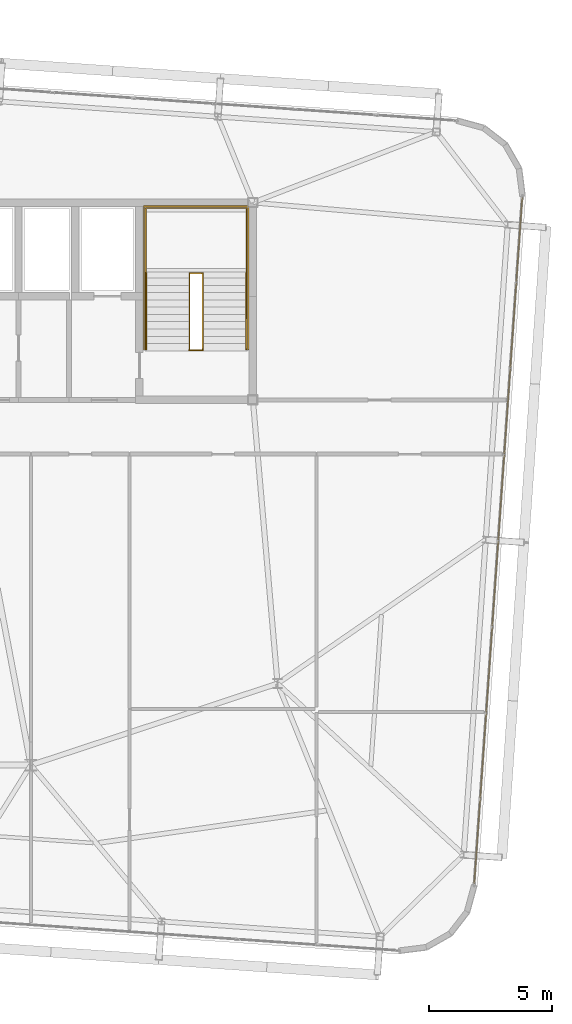
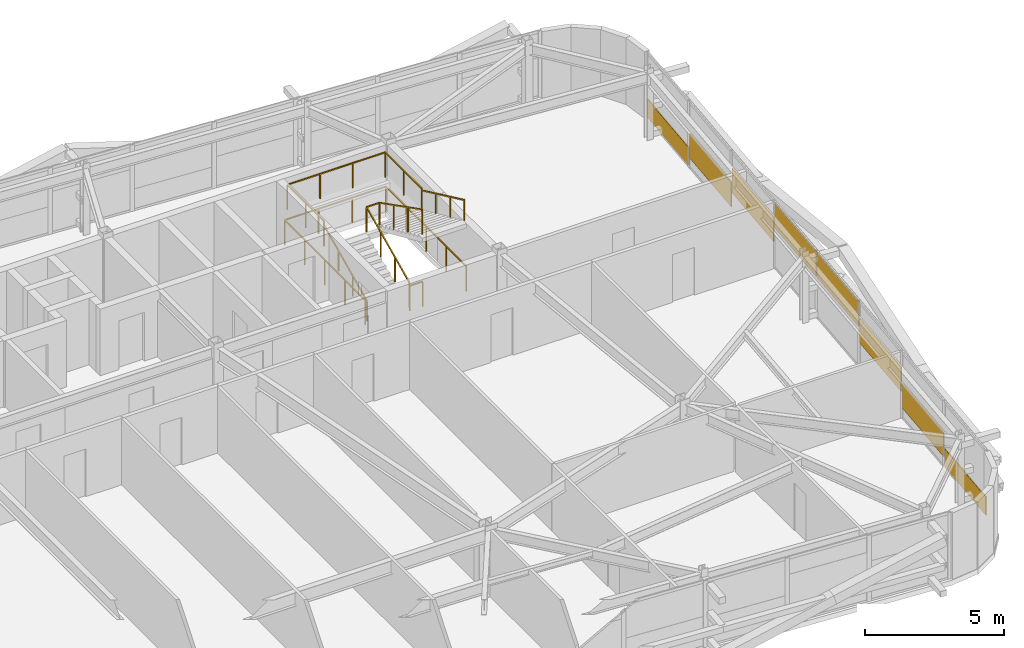
# One storey, part 46 of 47: 8 coverings, 6 railings.
"""IFC4 building model written with IfcOpenShell, lengths in metres."""

from ifc_helpers import new_model, si_unit, direction, frame, origin, origin_2d, place, context, subcontext, project, spatial, rectangle, extrude, source, transform, mapped, material, layer, layer_set, type_object, element, save


model = new_model("IFC4")

# Units and contexts
model_context = context("Model", 3, precision=1e-05, world=origin(), true_north=direction((0.0, 1.0)))
body_context = subcontext(model_context, "Body", "Model", "MODEL_VIEW")
ifc_project = project(units=[si_unit("LENGTHUNIT", "METRE"), si_unit("AREAUNIT", "SQUARE_METRE"), si_unit("VOLUMEUNIT", "CUBIC_METRE"), si_unit("PLANEANGLEUNIT", "RADIAN"), si_unit("MASSUNIT", "GRAM", prefix="KILO")], contexts=[model_context])

# Site, building, storey
site_placement = place(None, origin())
site = spatial("IfcSite", under=ifc_project, at=site_placement, CompositionType="ELEMENT")
building_placement = place(site_placement, origin())
building = spatial("IfcBuilding", under=site, at=building_placement, Name="Taldren Reach Tower", CompositionType="ELEMENT")
storey_placement = place(building_placement, frame((0.0, 0.0, 139.300048828125)))
storey = spatial("IfcBuildingStorey", under=building, at=storey_placement, Name="L42", CompositionType="ELEMENT", Elevation=139.300048828125)

# Railings
ifc_material_1 = material(Name="Steel Gr 350 (C350L0)", Category="steel")
ifc_layer_1 = layer(ifc_material_1, 0.050048828125)
ifc_layer_set_1 = layer_set([ifc_layer_1], Name="Steel Gr 350 (C350L0)")
railing_type_1 = type_object("IfcRailingType", Name="RL-STAIR-GR", PredefinedType="GUARDRAIL", material=ifc_layer_set_1)
railing_1_placement = place(storey_placement, frame((46.659912109375, 29.135009765625, 1.574951171875)))
element("IfcRailing", 1, at=railing_1_placement, inside=storey, type_object=railing_type_1, Name="Stair half-landing perimeter guard ST2-L42", PredefinedType="GUARDRAIL", context=body_context, shape_type="SweptSolid", body=[
    extrude(rectangle(XDim=0.047852, YDim=0.047852, at=origin_2d()), frame((0.0, 0.0, 1.09619140625), z_axis=(0.0, 1.0, 0.0), x_axis=(-1.0, 0.0, 0.0)), (0.0, 0.0, 1.0), 2.64501953125),
    extrude(rectangle(XDim=0.047852, YDim=0.047852, at=origin_2d()), frame((0.0, 2.64501953125, 1.09619140625), z_axis=(1.0, 0.0, 0.0), x_axis=(0.0, 1.0, 0.0)), (0.0, 0.0, 1.0), 4.080078125),
    extrude(rectangle(XDim=0.047852, YDim=0.047852, at=origin_2d()), frame((4.080078125, 2.64501953125, 1.09619140625), z_axis=(0.0, -1.0, 0.0), x_axis=(1.0, 0.0, 0.0)), (0.0, 0.0, 1.0), 2.64501953125),
    extrude(rectangle(XDim=0.041992, YDim=0.041992, at=origin_2d()), origin(), (0.0, 0.0, 1.0), 1.072021484375),
    extrude(rectangle(XDim=0.041992, YDim=0.041992, at=origin_2d()), frame((0.0, 1.322509765625, 0.0)), (0.0, 0.0, 1.0), 1.072021484375),
    extrude(rectangle(XDim=0.041992, YDim=0.041992, at=origin_2d()), frame((0.0, 2.64501953125, 0.0)), (0.0, 0.0, 1.0), 1.072021484375),
    extrude(rectangle(XDim=0.041992, YDim=0.041992, at=origin_2d()), frame((1.360107421875, 2.64501953125, 0.0)), (0.0, 0.0, 1.0), 1.072021484375),
    extrude(rectangle(XDim=0.041992, YDim=0.041992, at=origin_2d()), frame((2.719970703125, 2.64501953125, 0.0)), (0.0, 0.0, 1.0), 1.072021484375),
    extrude(rectangle(XDim=0.041992, YDim=0.041992, at=origin_2d()), frame((4.080078125, 2.64501953125, 0.0)), (0.0, 0.0, 1.0), 1.072021484375),
    extrude(rectangle(XDim=0.041992, YDim=0.041992, at=origin_2d()), frame((4.080078125, 1.322509765625, 0.0)), (0.0, 0.0, 1.0), 1.072021484375),
    extrude(rectangle(XDim=0.041992, YDim=0.041992, at=origin_2d()), frame((4.080078125, 0.0, 0.0)), (0.0, 0.0, 1.0), 1.072021484375),
])
railing_2_placement = place(storey_placement, frame((48.429931640625, 26.050048828125, 0.13134765625)))
element("IfcRailing", 2, at=railing_2_placement, inside=storey, type_object=railing_type_1, Name="Stairwell inner guard ST2-L42", PredefinedType="GUARDRAIL", context=body_context, shape_type="SweptSolid", body=[
    extrude(rectangle(XDim=0.047852, YDim=0.047852, at=origin_2d()), frame((0.0, 0.0, 1.09619140625), z_axis=(0.0, 0.905737652094, 0.423838773095), x_axis=(-1.0, 0.0, 0.0)), (0.0, 0.0, 1.0), 3.406005859375),
    extrude(rectangle(XDim=0.047852, YDim=0.047852, at=origin_2d()), frame((0.0, 3.0849609375, 2.53955078125), z_axis=(1.0, 0.0, 0.0), x_axis=(0.0, 1.0, 0.0)), (0.0, 0.0, 1.0), 0.5400390625),
    extrude(rectangle(XDim=0.047852, YDim=0.047852, at=origin_2d()), frame((0.5400390625, 3.0849609375, 2.53955078125), z_axis=(0.0, -0.890645957773, 0.45469745755), x_axis=(1.0, 0.0, 0.0)), (0.0, 0.0, 1.0), 3.463623046875),
    extrude(rectangle(XDim=0.041992, YDim=0.041992, at=origin_2d()), origin(), (0.0, 0.0, 1.0), 1.072021484375),
    extrude(rectangle(XDim=0.041992, YDim=0.041992, at=origin_2d()), frame((0.0, 1.0283203125, 0.481201171875)), (0.0, 0.0, 1.0), 1.072021484375),
    extrude(rectangle(XDim=0.041992, YDim=0.041992, at=origin_2d()), frame((0.0, 2.056640625, 0.96240234375)), (0.0, 0.0, 1.0), 1.072021484375),
    extrude(rectangle(XDim=0.041992, YDim=0.041992, at=origin_2d()), frame((0.0, 3.0849609375, 1.443603515625)), (0.0, 0.0, 1.0), 1.072021484375),
    extrude(rectangle(XDim=0.041992, YDim=0.041992, at=origin_2d()), frame((0.5400390625, 3.0849609375, 1.443603515625)), (0.0, 0.0, 1.0), 1.072021484375),
    extrude(rectangle(XDim=0.041992, YDim=0.041992, at=origin_2d()), frame((0.5400390625, 2.056640625, 1.968505859375)), (0.0, 0.0, 1.0), 1.072021484375),
    extrude(rectangle(XDim=0.041992, YDim=0.041992, at=origin_2d()), frame((0.5400390625, 1.0283203125, 2.49365234375)), (0.0, 0.0, 1.0), 1.072021484375),
    extrude(rectangle(XDim=0.041992, YDim=0.041992, at=origin_2d()), frame((0.5400390625, 0.0, 3.0185546875)), (0.0, 0.0, 1.0), 1.072021484375),
])
railing_3_placement = place(storey_placement, frame((48.429931640625, 26.010009765625, 0.0)))
element("IfcRailing", 3, at=railing_3_placement, inside=storey, type_object=railing_type_1, Name="Stairwell landing slot guard ST2-L42", PredefinedType="GUARDRAIL", context=body_context, shape_type="SweptSolid", body=[
    extrude(rectangle(XDim=0.047852, YDim=0.047852, at=origin_2d()), frame((0.0, 0.0, 1.09619140625), z_axis=(1.0, 0.0, 0.0), x_axis=(0.0, 1.0, 0.0)), (0.0, 0.0, 1.0), 0.5400390625),
    extrude(rectangle(XDim=0.041992, YDim=0.041992, at=origin_2d()), origin(), (0.0, 0.0, 1.0), 1.072021484375),
    extrude(rectangle(XDim=0.041992, YDim=0.041992, at=origin_2d()), frame((0.5400390625, 0.0, 0.0)), (0.0, 0.0, 1.0), 1.072021484375),
])
railing_4_placement = place(storey_placement, frame((46.590087890625, 26.050048828125, 0.0)))
element("IfcRailing", 4, at=railing_4_placement, inside=storey, type_object=railing_type_1, Name="Stairwell floor opening guard ST2-L42", PredefinedType="GUARDRAIL", context=body_context, shape_type="SweptSolid", body=[
    extrude(rectangle(XDim=0.047852, YDim=0.047852, at=origin_2d()), frame((0.0, 0.0, 1.09619140625), z_axis=(0.0, 1.0, 0.0), x_axis=(-1.0, 0.0, 0.0)), (0.0, 0.0, 1.0), 5.800048828125),
    extrude(rectangle(XDim=0.047852, YDim=0.047852, at=origin_2d()), frame((0.0, 5.800048828125, 1.09619140625), z_axis=(1.0, 0.0, 0.0), x_axis=(0.0, 1.0, 0.0)), (0.0, 0.0, 1.0), 4.219970703125),
    extrude(rectangle(XDim=0.047852, YDim=0.047852, at=origin_2d()), frame((4.219970703125, 5.800048828125, 1.09619140625), z_axis=(0.0, -1.0, 0.0), x_axis=(1.0, 0.0, 0.0)), (0.0, 0.0, 1.0), 5.800048828125),
    extrude(rectangle(XDim=0.041992, YDim=0.041992, at=origin_2d()), origin(), (0.0, 0.0, 1.0), 1.072021484375),
    extrude(rectangle(XDim=0.041992, YDim=0.041992, at=origin_2d()), frame((0.0, 1.449951171875, 0.0)), (0.0, 0.0, 1.0), 1.072021484375),
    extrude(rectangle(XDim=0.041992, YDim=0.041992, at=origin_2d()), frame((0.0, 2.89990234375, 0.0)), (0.0, 0.0, 1.0), 1.072021484375),
    extrude(rectangle(XDim=0.041992, YDim=0.041992, at=origin_2d()), frame((0.0, 4.35009765625, 0.0)), (0.0, 0.0, 1.0), 1.072021484375),
    extrude(rectangle(XDim=0.041992, YDim=0.041992, at=origin_2d()), frame((0.0, 5.800048828125, 0.0)), (0.0, 0.0, 1.0), 1.072021484375),
    extrude(rectangle(XDim=0.041992, YDim=0.041992, at=origin_2d()), frame((1.40673828125, 5.800048828125, 0.0)), (0.0, 0.0, 1.0), 1.072021484375),
    extrude(rectangle(XDim=0.041992, YDim=0.041992, at=origin_2d()), frame((2.813232421875, 5.800048828125, 0.0)), (0.0, 0.0, 1.0), 1.072021484375),
    extrude(rectangle(XDim=0.041992, YDim=0.041992, at=origin_2d()), frame((4.219970703125, 5.800048828125, 0.0)), (0.0, 0.0, 1.0), 1.072021484375),
    extrude(rectangle(XDim=0.041992, YDim=0.041992, at=origin_2d()), frame((4.219970703125, 4.35009765625, 0.0)), (0.0, 0.0, 1.0), 1.072021484375),
    extrude(rectangle(XDim=0.041992, YDim=0.041992, at=origin_2d()), frame((4.219970703125, 2.89990234375, 0.0)), (0.0, 0.0, 1.0), 1.072021484375),
    extrude(rectangle(XDim=0.041992, YDim=0.041992, at=origin_2d()), frame((4.219970703125, 1.449951171875, 0.0)), (0.0, 0.0, 1.0), 1.072021484375),
    extrude(rectangle(XDim=0.041992, YDim=0.041992, at=origin_2d()), frame((4.219970703125, 0.0, 0.0)), (0.0, 0.0, 1.0), 1.072021484375),
])
ifc_material_2 = material(Name="Stainless Steel Gr 316", Category="steel")
ifc_layer_2 = layer(ifc_material_2, 0.048095703125)
ifc_layer_set_2 = layer_set([ifc_layer_2], Name="Stainless Steel Gr 316")
railing_type_2 = type_object("IfcRailingType", Name="RL-STAIR-HR", PredefinedType="HANDRAIL", material=ifc_layer_set_2)
railing_5_placement = place(storey_placement, frame((46.669921875, 26.050048828125, 0.13134765625)))
element("IfcRailing", 5, at=railing_5_placement, inside=storey, type_object=railing_type_2, Name="Stair flight handrail ST2-L42-1", PredefinedType="HANDRAIL", context=body_context, shape_type="SweptSolid", body=[
    extrude(rectangle(XDim=0.047852, YDim=0.047852, at=origin_2d()), frame((0.0, 0.0, 0.89599609375), z_axis=(0.0, 0.905737652094, 0.423838773095), x_axis=(-1.0, 0.0, 0.0)), (0.0, 0.0, 1.0), 3.406005859375),
    extrude(rectangle(XDim=0.041992, YDim=0.041992, at=origin_2d()), origin(), (0.0, 0.0, 1.0), 0.871826171875),
    extrude(rectangle(XDim=0.041992, YDim=0.041992, at=origin_2d()), frame((0.0, 1.0283203125, 0.481201171875)), (0.0, 0.0, 1.0), 0.871826171875),
    extrude(rectangle(XDim=0.041992, YDim=0.041992, at=origin_2d()), frame((0.0, 2.056640625, 0.96240234375)), (0.0, 0.0, 1.0), 0.871826171875),
    extrude(rectangle(XDim=0.041992, YDim=0.041992, at=origin_2d()), frame((0.0, 3.0849609375, 1.443603515625)), (0.0, 0.0, 1.0), 0.871826171875),
])
railing_6_placement = place(storey_placement, frame((50.72998046875, 29.135009765625, 1.7060546875)))
element("IfcRailing", 6, at=railing_6_placement, inside=storey, type_object=railing_type_2, Name="Stair flight handrail ST2-L42-2", PredefinedType="HANDRAIL", context=body_context, shape_type="SweptSolid", body=[
    extrude(rectangle(XDim=0.047852, YDim=0.047852, at=origin_2d()), frame((0.0, 0.0, 0.89599609375), z_axis=(0.0, -0.905710134349, 0.423897573167), x_axis=(1.0, 0.0, 0.0)), (0.0, 0.0, 1.0), 3.406005859375),
    extrude(rectangle(XDim=0.041992, YDim=0.041992, at=origin_2d()), origin(), (0.0, 0.0, 1.0), 0.871826171875),
    extrude(rectangle(XDim=0.041992, YDim=0.041992, at=origin_2d()), frame((0.0, -1.0283203125, 0.481201171875)), (0.0, 0.0, 1.0), 0.871826171875),
    extrude(rectangle(XDim=0.041992, YDim=0.041992, at=origin_2d()), frame((0.0, -2.056640625, 0.962646484375)), (0.0, 0.0, 1.0), 0.871826171875),
    extrude(rectangle(XDim=0.041992, YDim=0.041992, at=origin_2d()), frame((0.0, -3.0849609375, 1.44384765625)), (0.0, 0.0, 1.0), 0.871826171875),
])

# Coverings
ifc_material_3 = material(Name="Pale Champagne Fluoropolymer Aluminium Spandrel Cladding", Category="aluminium")
ifc_layer_3 = layer(ifc_material_3, 0.0439453125)
ifc_layer_set_3 = layer_set([ifc_layer_3], Name="Pale Champagne Fluoropolymer Aluminium Spandrel Cladding")
covering_type = type_object("IfcCoveringType", Name="CV-CLAD-044", PredefinedType="CLADDING", material=ifc_layer_set_3)
shared_shape_1 = source(origin(), body_context, "Body", "SweptSolid", [
    extrude(rectangle(XDim=3.39501953125, YDim=0.0439453125, at=origin_2d()), origin(), (0.0, 0.0, 1.0), 0.80859375),
])
for number, where, z_axis, x_axis, name in (
    (7, (60.09375, 6.093505859375, 0.054931640625), (0.0, 0.0, 1.0), (0.069756437251, 0.997564052812, 0.0), "Diagrid closure cladding strip CW-4 panel 1.1 1"),
    (8, (61.80029296875, 30.498779296875, 0.054931640625), (0.0, 0.0, 1.0), (0.069756437251, 0.997564052812, 0.0), "Diagrid closure cladding strip CW-4 panel 8.1 1"),
):
    element("IfcCovering", number, at=place(storey_placement, frame(where, z_axis=z_axis, x_axis=x_axis)), inside=storey, type_object=covering_type, Name=name, PredefinedType="CLADDING", context=body_context, shape_type="MappedRepresentation", body=[
        mapped(shared_shape_1, transform((0.0, 0.0, 0.0), scale=1.0)),
    ])
shared_shape_2 = source(origin(), body_context, "Body", "SweptSolid", [
    extrude(rectangle(XDim=3.429931640625, YDim=0.0439453125, at=origin_2d()), origin(), (0.0, 0.0, 1.0), 1.078369140625),
])
for number, where, z_axis, x_axis, name in (
    (9, (60.336669921875, 9.5673828125, 0.44970703125), (0.0, 0.0, 1.0), (0.069756437251, 0.997564052812, 0.0), "Diagrid closure cladding strip CW-4 panel 2.1 1"),
    (10, (60.580810546875, 13.058837890625, 1.1142578125), (0.0, 0.0, 1.0), (0.069756437251, 0.997564052812, 0.0), "Diagrid closure cladding strip CW-4 panel 3.1 1"),
    (11, (61.313232421875, 23.533203125, 1.1142578125), (0.0, 0.0, 1.0), (0.069756437251, 0.997564052812, 0.0), "Diagrid closure cladding strip CW-4 panel 6.1 1"),
    (12, (61.557373046875, 27.024658203125, 0.44970703125), (0.0, 0.0, 1.0), (0.069756437251, 0.997564052812, 0.0), "Diagrid closure cladding strip CW-4 panel 7.1 1"),
):
    element("IfcCovering", number, at=place(storey_placement, frame(where, z_axis=z_axis, x_axis=x_axis)), inside=storey, type_object=covering_type, Name=name, PredefinedType="CLADDING", context=body_context, shape_type="MappedRepresentation", body=[
        mapped(shared_shape_2, transform((0.0, 0.0, 0.0), scale=1.0)),
    ])
shared_shape_3 = source(origin(), body_context, "Body", "SweptSolid", [
    extrude(rectangle(XDim=3.429931640625, YDim=0.0439453125, at=origin_2d()), origin(), (0.0, 0.0, 1.0), 1.096435546875),
])
for number, where, z_axis, x_axis, name in (
    (13, (60.824951171875, 16.55029296875, 1.7783203125), (0.0, 0.0, 1.0), (0.069756437251, 0.997564052812, 0.0), "Diagrid closure cladding strip CW-4 panel 4.1 1"),
    (14, (61.069091796875, 20.041748046875, 1.7783203125), (0.0, 0.0, 1.0), (0.069756437251, 0.997564052812, 0.0), "Diagrid closure cladding strip CW-4 panel 5.1 1"),
):
    element("IfcCovering", number, at=place(storey_placement, frame(where, z_axis=z_axis, x_axis=x_axis)), inside=storey, type_object=covering_type, Name=name, PredefinedType="CLADDING", context=body_context, shape_type="MappedRepresentation", body=[
        mapped(shared_shape_3, transform((0.0, 0.0, 0.0), scale=1.0)),
    ])

save(model, "model.ifc")
